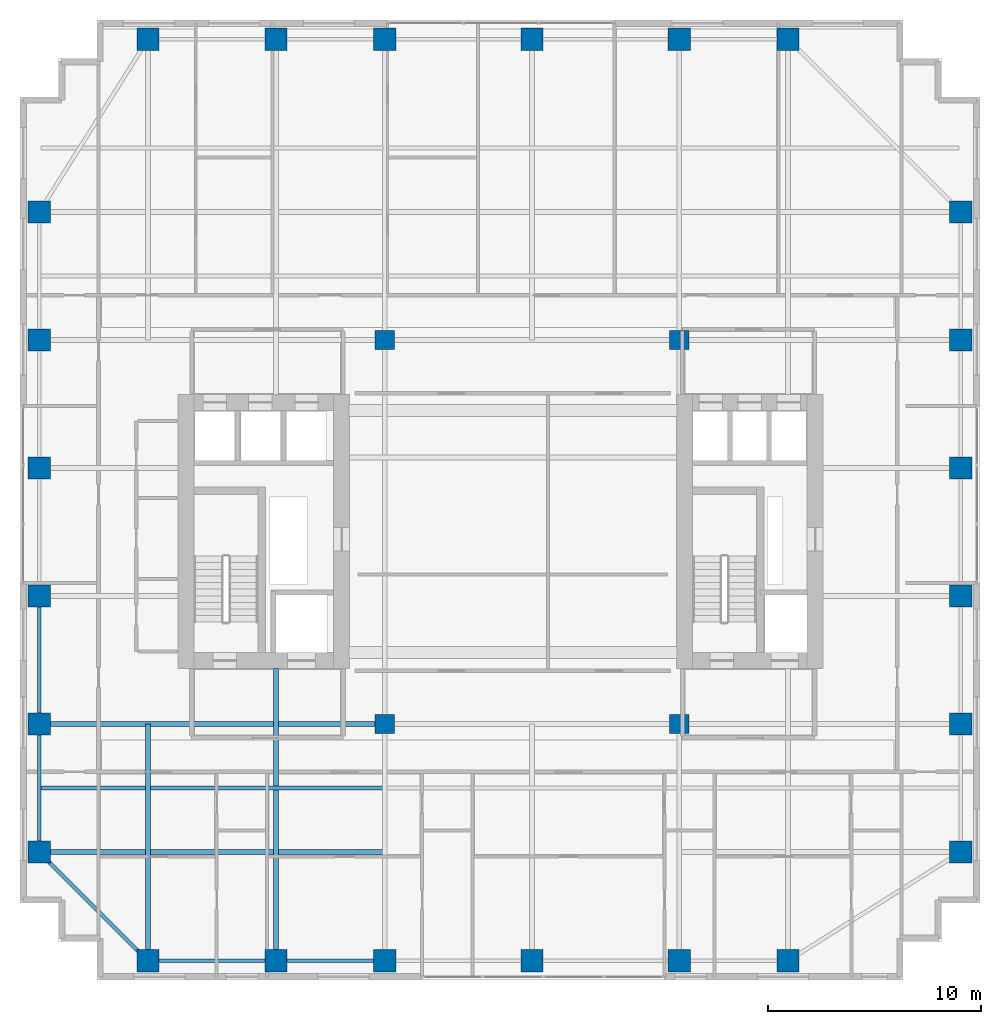
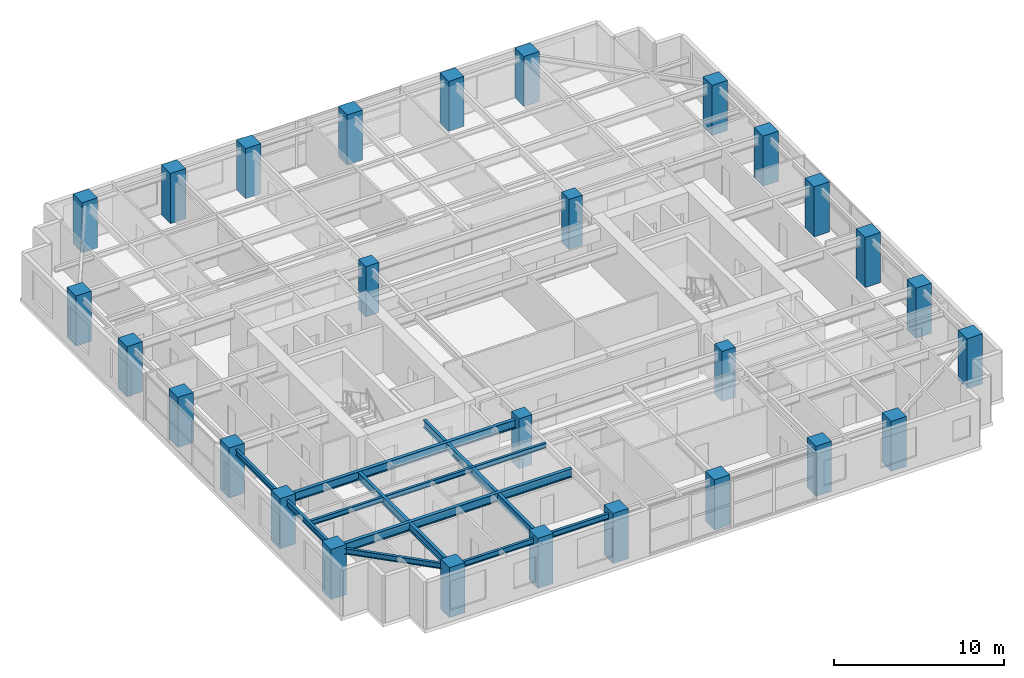
# One storey, part 1 of 20: 28 columns, 10 beams.
"""IFC4 building model written with IfcOpenShell, lengths in metres."""

from ifc_helpers import new_model, si_unit, direction, frame, origin, origin_2d, place, context, subcontext, project, spatial, rectangle, i_section, extrude, source, transform, mapped, material, material_profile, profile_set, type_object, element, save


model = new_model("IFC4")

# Units and contexts
model_context = context("Model", 3, precision=1e-05, world=origin(), true_north=direction((0.0, 1.0)))
body_context = subcontext(model_context, "Body", "Model", "MODEL_VIEW")
ifc_project = project(units=[si_unit("LENGTHUNIT", "METRE"), si_unit("AREAUNIT", "SQUARE_METRE"), si_unit("VOLUMEUNIT", "CUBIC_METRE"), si_unit("PLANEANGLEUNIT", "RADIAN"), si_unit("MASSUNIT", "GRAM", prefix="KILO")], contexts=[model_context])

# Site, building, storey
site_placement = place(None, origin())
site = spatial("IfcSite", under=ifc_project, at=site_placement, CompositionType="ELEMENT")
building_placement = place(site_placement, origin())
building = spatial("IfcBuilding", under=site, at=building_placement, Name="Khoralis Quay Care Tower", CompositionType="ELEMENT")
storey_placement = place(building_placement, frame((0.0, 0.0, 116.10009765625)))
storey = spatial("IfcBuildingStorey", under=building, at=storey_placement, Name="L30", CompositionType="ELEMENT", Elevation=116.10009765625)

# Columns
ifc_material_1 = material(Name="Concrete C65/80", Category="concrete")
ifc_material_profile_1 = material_profile(ifc_material_1, rectangle(XDim=1.050048828125, YDim=1.050048828125, at=origin_2d()), Name="Concrete C65/80")
ifc_profile_set_1 = profile_set([ifc_material_profile_1], Name="Concrete C65/80")
column_type_1 = type_object("IfcColumnType", Name="COL-C1050", PredefinedType="COLUMN", material=ifc_profile_set_1)
shared_shape_1 = source(origin(), body_context, "Body", "SweptSolid", [
    extrude(rectangle(XDim=1.050048828125, YDim=1.050048828125, at=origin_2d()), origin(), (0.0, 0.0, 1.0), 3.599853515625),
])
for number, where, z_axis, x_axis, name in (
    (1, (6.0, 0.89990234375, 0.0), (0.0, 0.0, 1.0), (1.0, 0.0, 0.0), "COL-TWR-L30-01"),
    (2, (6.0, 44.10009765625, 0.0), (0.0, 0.0, 1.0), (1.0, 0.0, 0.0), "COL-TWR-L30-02"),
    (3, (12.0, 0.89990234375, 0.0), (0.0, 0.0, 1.0), (1.0, 0.0, 0.0), "COL-TWR-L30-03"),
    (4, (12.0, 44.10009765625, 0.0), (0.0, 0.0, 1.0), (1.0, 0.0, 0.0), "COL-TWR-L30-04"),
    (5, (17.10009765625, 0.89990234375, 0.0), (0.0, 0.0, 1.0), (1.0, 0.0, 0.0), "COL-TWR-L30-05"),
    (6, (17.10009765625, 44.10009765625, 0.0), (0.0, 0.0, 1.0), (1.0, 0.0, 0.0), "COL-TWR-L30-06"),
    (7, (24.0, 0.89990234375, 0.0), (0.0, 0.0, 1.0), (1.0, 0.0, 0.0), "COL-TWR-L30-07"),
    (8, (24.0, 44.10009765625, 0.0), (0.0, 0.0, 1.0), (1.0, 0.0, 0.0), "COL-TWR-L30-08"),
    (9, (30.89990234375, 0.89990234375, 0.0), (0.0, 0.0, 1.0), (1.0, 0.0, 0.0), "COL-TWR-L30-09"),
    (10, (30.89990234375, 44.10009765625, 0.0), (0.0, 0.0, 1.0), (1.0, 0.0, 0.0), "COL-TWR-L30-10"),
    (11, (36.0, 0.89990234375, 0.0), (0.0, 0.0, 1.0), (1.0, 0.0, 0.0), "COL-TWR-L30-11"),
    (12, (36.0, 44.10009765625, 0.0), (0.0, 0.0, 1.0), (1.0, 0.0, 0.0), "COL-TWR-L30-12"),
    (13, (0.89990234375, 6.0, 0.0), (0.0, 0.0, 1.0), (1.0, 0.0, 0.0), "COL-TWR-L30-13"),
    (14, (44.10009765625, 6.0, 0.0), (0.0, 0.0, 1.0), (1.0, 0.0, 0.0), "COL-TWR-L30-14"),
    (15, (0.89990234375, 12.0, 0.0), (0.0, 0.0, 1.0), (1.0, 0.0, 0.0), "COL-TWR-L30-15"),
    (16, (44.10009765625, 12.0, 0.0), (0.0, 0.0, 1.0), (1.0, 0.0, 0.0), "COL-TWR-L30-16"),
    (17, (0.89990234375, 18.0, 0.0), (0.0, 0.0, 1.0), (1.0, 0.0, 0.0), "COL-TWR-L30-17"),
    (18, (44.10009765625, 18.0, 0.0), (0.0, 0.0, 1.0), (1.0, 0.0, 0.0), "COL-TWR-L30-18"),
    (19, (0.89990234375, 24.0, 0.0), (0.0, 0.0, 1.0), (1.0, 0.0, 0.0), "COL-TWR-L30-19"),
    (20, (44.10009765625, 24.0, 0.0), (0.0, 0.0, 1.0), (1.0, 0.0, 0.0), "COL-TWR-L30-20"),
    (21, (0.89990234375, 30.0, 0.0), (0.0, 0.0, 1.0), (1.0, 0.0, 0.0), "COL-TWR-L30-21"),
    (22, (44.10009765625, 30.0, 0.0), (0.0, 0.0, 1.0), (1.0, 0.0, 0.0), "COL-TWR-L30-22"),
    (23, (0.89990234375, 36.0, 0.0), (0.0, 0.0, 1.0), (1.0, 0.0, 0.0), "COL-TWR-L30-23"),
    (24, (44.10009765625, 36.0, 0.0), (0.0, 0.0, 1.0), (1.0, 0.0, 0.0), "COL-TWR-L30-24"),
):
    element("IfcColumn", number, at=place(storey_placement, frame(where, z_axis=z_axis, x_axis=x_axis)), inside=storey, type_object=column_type_1, Name=name, PredefinedType="COLUMN", context=body_context, shape_type="MappedRepresentation", body=[
        mapped(shared_shape_1, transform((0.0, 0.0, 0.0), scale=1.0)),
    ])
ifc_material_profile_2 = material_profile(ifc_material_1, rectangle(XDim=0.89990234375, YDim=0.89990234375, at=origin_2d()), Name="Concrete C65/80")
ifc_profile_set_2 = profile_set([ifc_material_profile_2], Name="Concrete C65/80")
column_type_2 = type_object("IfcColumnType", Name="COL-C900", PredefinedType="COLUMN", material=ifc_profile_set_2)
shared_shape_2 = source(origin(), body_context, "Body", "SweptSolid", [
    extrude(rectangle(XDim=0.89990234375, YDim=0.89990234375, at=origin_2d()), origin(), (0.0, 0.0, 1.0), 3.599853515625),
])
for number, where, z_axis, x_axis, name in (
    (25, (17.10009765625, 12.0, 0.0), (0.0, 0.0, 1.0), (1.0, 0.0, 0.0), "COL-TWR-L30-25"),
    (26, (17.10009765625, 30.0, 0.0), (0.0, 0.0, 1.0), (1.0, 0.0, 0.0), "COL-TWR-L30-26"),
    (27, (30.89990234375, 12.0, 0.0), (0.0, 0.0, 1.0), (1.0, 0.0, 0.0), "COL-TWR-L30-27"),
    (28, (30.89990234375, 30.0, 0.0), (0.0, 0.0, 1.0), (1.0, 0.0, 0.0), "COL-TWR-L30-28"),
):
    element("IfcColumn", number, at=place(storey_placement, frame(where, z_axis=z_axis, x_axis=x_axis)), inside=storey, type_object=column_type_2, Name=name, PredefinedType="COLUMN", context=body_context, shape_type="MappedRepresentation", body=[
        mapped(shared_shape_2, transform((0.0, 0.0, 0.0), scale=1.0)),
    ])

# Beams
ifc_material_2 = material(Name="Steel S355", Category="steel")
ifc_material_profile_3 = material_profile(ifc_material_2, i_section(OverallWidth=0.179931640625, OverallDepth=0.39990234375, WebThickness=0.008544921875, FlangeThickness=0.013427734375, FilletRadius=0.02099609375, at=origin_2d()), Name="Steel S355")
ifc_profile_set_3 = profile_set([ifc_material_profile_3], Name="Steel S355")
beam_type_1 = type_object("IfcBeamType", Name="BM-IPE400", PredefinedType="SPANDREL", material=ifc_profile_set_3)
shared_shape_3 = source(origin(), body_context, "Body", "SweptSolid", [
    extrude(i_section(OverallWidth=0.179931640625, OverallDepth=0.39990234375, WebThickness=0.008544921875, FlangeThickness=0.013427734375, FilletRadius=0.02099609375, at=origin_2d()), origin(), (0.0, 0.0, 1.0), 6.0),
])
for number, where, z_axis, x_axis, name in (
    (29, (6.0, 0.89990234375, 3.139892578125), (1.0, 0.0, 0.0), (0.0, 1.0, 0.0), "BM-TSP-L30-01"),
    (30, (0.89990234375, 6.0, 3.139892578125), (0.0, 1.0, 0.0), (-1.0, 0.0, 0.0), "BM-TSP-L30-11"),
    (31, (0.89990234375, 12.0, 3.139892578125), (0.0, 1.0, 0.0), (-1.0, 0.0, 0.0), "BM-TSP-L30-12"),
):
    element("IfcBeam", number, at=place(storey_placement, frame(where, z_axis=z_axis, x_axis=x_axis)), inside=storey, type_object=beam_type_1, Name=name, PredefinedType="SPANDREL", context=body_context, shape_type="MappedRepresentation", body=[
        mapped(shared_shape_3, transform((0.0, 0.0, 0.0), scale=1.0)),
    ])
shared_shape_4 = source(origin(), body_context, "Body", "SweptSolid", [
    extrude(i_section(OverallWidth=0.179931640625, OverallDepth=0.39990234375, WebThickness=0.008544921875, FlangeThickness=0.013427734375, FilletRadius=0.02099609375, at=origin_2d()), origin(), (0.0, 0.0, 1.0), 5.10009765625),
])
beam_1_placement = place(storey_placement, frame((12.0, 0.89990234375, 3.139892578125), z_axis=(1.0, 0.0, 0.0), x_axis=(0.0, 1.0, 0.0)))
element("IfcBeam", 32, at=beam_1_placement, inside=storey, type_object=beam_type_1, Name="BM-TSP-L30-02", PredefinedType="SPANDREL", context=body_context, shape_type="MappedRepresentation", body=[
    mapped(shared_shape_4, transform((0.0, 0.0, 0.0), scale=1.0)),
])
shared_shape_5 = source(origin(), body_context, "Body", "SweptSolid", [
    extrude(i_section(OverallWidth=0.179931640625, OverallDepth=0.39990234375, WebThickness=0.008544921875, FlangeThickness=0.013427734375, FilletRadius=0.02099609375, at=origin_2d()), origin(), (0.0, 0.0, 1.0), 7.212646484375),
])
beam_2_placement = place(storey_placement, frame((6.0, 0.89990234375, 3.139892578125), z_axis=(-0.707106781187, 0.707106781187, 0.0), x_axis=(-0.707106781187, -0.707106781187, 0.0)))
element("IfcBeam", 33, at=beam_2_placement, inside=storey, type_object=beam_type_1, Name="BM-TCR-L30-21", PredefinedType="SPANDREL", context=body_context, shape_type="MappedRepresentation", body=[
    mapped(shared_shape_5, transform((0.0, 0.0, 0.0), scale=1.0)),
])
ifc_material_profile_4 = material_profile(ifc_material_2, i_section(OverallWidth=0.22998046875, OverallDepth=0.616943359375, WebThickness=0.01318359375, FlangeThickness=0.022216796875, FilletRadius=0.01806640625, at=origin_2d()), Name="Steel S355")
ifc_profile_set_4 = profile_set([ifc_material_profile_4], Name="Steel S355")
beam_type_2 = type_object("IfcBeamType", Name="BM-W610X140", PredefinedType="BEAM", material=ifc_profile_set_4)
shared_shape_6 = source(origin(), body_context, "Body", "SweptSolid", [
    extrude(i_section(OverallWidth=0.22998046875, OverallDepth=0.616943359375, WebThickness=0.01318359375, FlangeThickness=0.022216796875, FilletRadius=0.01806640625, at=origin_2d()), origin(), (0.0, 0.0, 1.0), 16.106201171875),
])
beam_3_placement = place(storey_placement, frame((0.89990234375, 6.0, 3.031494140625), z_axis=(1.0, 0.0, 0.0), x_axis=(0.0, 1.0, 0.0)))
element("IfcBeam", 34, at=beam_3_placement, inside=storey, type_object=beam_type_2, Name="BM-TGXW-L30-60", PredefinedType="BEAM", context=body_context, shape_type="MappedRepresentation", body=[
    mapped(shared_shape_6, transform((0.0, 0.0, 0.0), scale=1.0)),
])
shared_shape_7 = source(origin(), body_context, "Body", "SweptSolid", [
    extrude(i_section(OverallWidth=0.22998046875, OverallDepth=0.616943359375, WebThickness=0.01318359375, FlangeThickness=0.022216796875, FilletRadius=0.01806640625, at=origin_2d()), origin(), (0.0, 0.0, 1.0), 16.2001953125),
])
beam_4_placement = place(storey_placement, frame((0.89990234375, 12.0, 3.031494140625), z_axis=(1.0, 0.0, 0.0), x_axis=(0.0, 1.0, 0.0)))
element("IfcBeam", 35, at=beam_4_placement, inside=storey, type_object=beam_type_2, Name="BM-TGXW-L30-120", PredefinedType="BEAM", context=body_context, shape_type="MappedRepresentation", body=[
    mapped(shared_shape_7, transform((0.0, 0.0, 0.0), scale=1.0)),
])
ifc_material_profile_5 = material_profile(ifc_material_2, i_section(OverallWidth=0.2119140625, OverallDepth=0.5439453125, WebThickness=0.01318359375, FlangeThickness=0.021240234375, FilletRadius=0.01611328125, at=origin_2d()), Name="Steel S355")
ifc_profile_set_5 = profile_set([ifc_material_profile_5], Name="Steel S355")
beam_type_3 = type_object("IfcBeamType", Name="BM-W530X123", PredefinedType="BEAM", material=ifc_profile_set_5)
shared_shape_8 = source(origin(), body_context, "Body", "SweptSolid", [
    extrude(i_section(OverallWidth=0.2119140625, OverallDepth=0.5439453125, WebThickness=0.01318359375, FlangeThickness=0.021240234375, FilletRadius=0.01611328125, at=origin_2d()), origin(), (0.0, 0.0, 1.0), 11.10009765625),
])
beam_5_placement = place(storey_placement, frame((6.0, 0.89990234375, 3.06787109375), z_axis=(0.0, 1.0, 0.0), x_axis=(-1.0, 0.0, 0.0)))
element("IfcBeam", 36, at=beam_5_placement, inside=storey, type_object=beam_type_3, Name="BM-TGYS-L30-60", PredefinedType="BEAM", context=body_context, shape_type="MappedRepresentation", body=[
    mapped(shared_shape_8, transform((0.0, 0.0, 0.0), scale=1.0)),
])
shared_shape_9 = source(origin(), body_context, "Body", "SweptSolid", [
    extrude(i_section(OverallWidth=0.2119140625, OverallDepth=0.5439453125, WebThickness=0.01318359375, FlangeThickness=0.021240234375, FilletRadius=0.01611328125, at=origin_2d()), origin(), (0.0, 0.0, 1.0), 13.7021484375),
])
beam_6_placement = place(storey_placement, frame((12.0, 0.89990234375, 3.06787109375), z_axis=(0.0, 1.0, 0.0), x_axis=(-1.0, 0.0, 0.0)))
element("IfcBeam", 37, at=beam_6_placement, inside=storey, type_object=beam_type_3, Name="BM-TGYS-L30-120", PredefinedType="BEAM", context=body_context, shape_type="MappedRepresentation", body=[
    mapped(shared_shape_9, transform((0.0, 0.0, 0.0), scale=1.0)),
])
ifc_material_profile_6 = material_profile(ifc_material_2, i_section(OverallWidth=0.1708984375, OverallDepth=0.35498046875, WebThickness=0.007080078125, FlangeThickness=0.01171875, FilletRadius=0.012939453125, at=origin_2d()), Name="Steel S355")
ifc_profile_set_6 = profile_set([ifc_material_profile_6], Name="Steel S355")
beam_type_4 = type_object("IfcBeamType", Name="BM-W360X51", PredefinedType="JOIST", material=ifc_profile_set_6)
shared_shape_10 = source(origin(), body_context, "Body", "SweptSolid", [
    extrude(i_section(OverallWidth=0.1708984375, OverallDepth=0.35498046875, WebThickness=0.007080078125, FlangeThickness=0.01171875, FilletRadius=0.012939453125, at=origin_2d()), origin(), (0.0, 0.0, 1.0), 16.030029296875),
])
beam_7_placement = place(storey_placement, frame((0.97607421875, 9.0, 3.162353515625), z_axis=(1.0, 0.0, 0.0), x_axis=(0.0, 1.0, 0.0)))
element("IfcBeam", 38, at=beam_7_placement, inside=storey, type_object=beam_type_4, Name="BM-TJS-L30-25", PredefinedType="JOIST", context=body_context, shape_type="MappedRepresentation", body=[
    mapped(shared_shape_10, transform((0.0, 0.0, 0.0), scale=1.0)),
])

save(model, "model.ifc")
